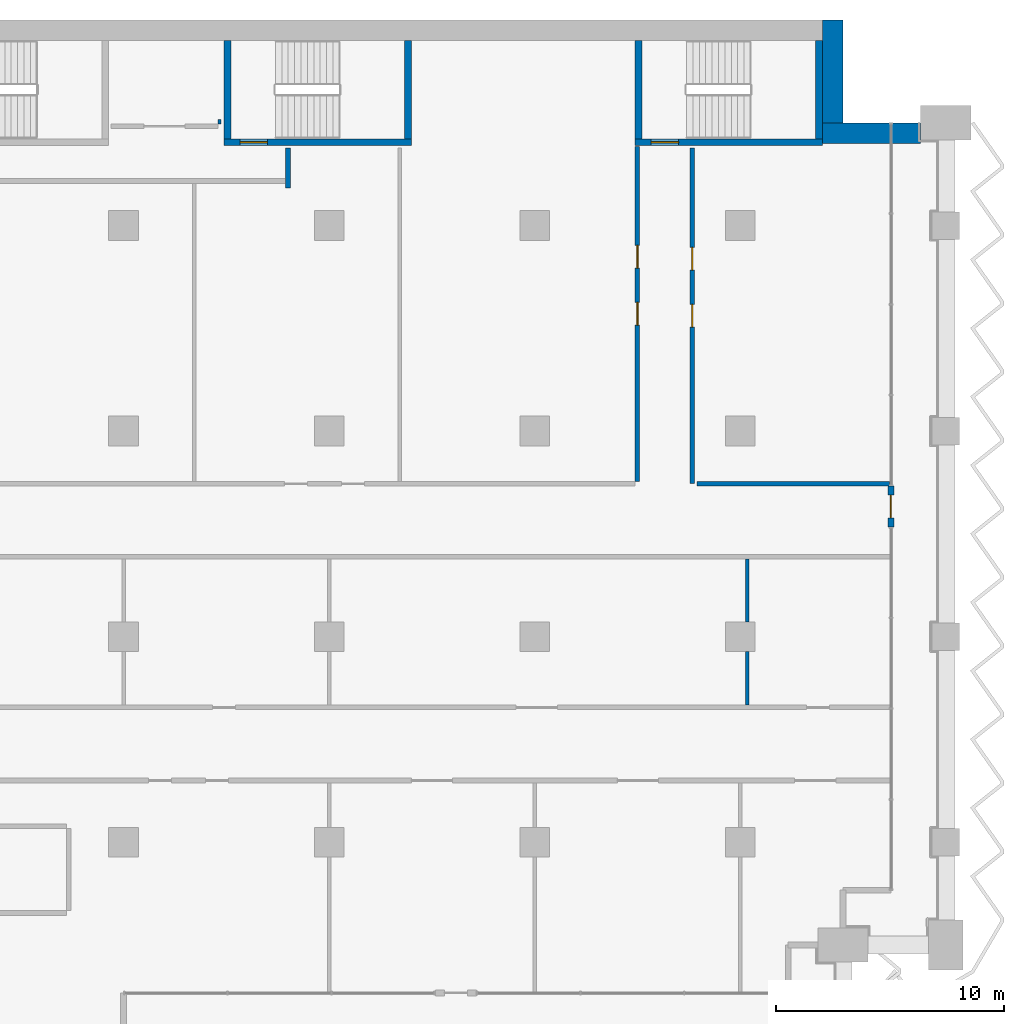
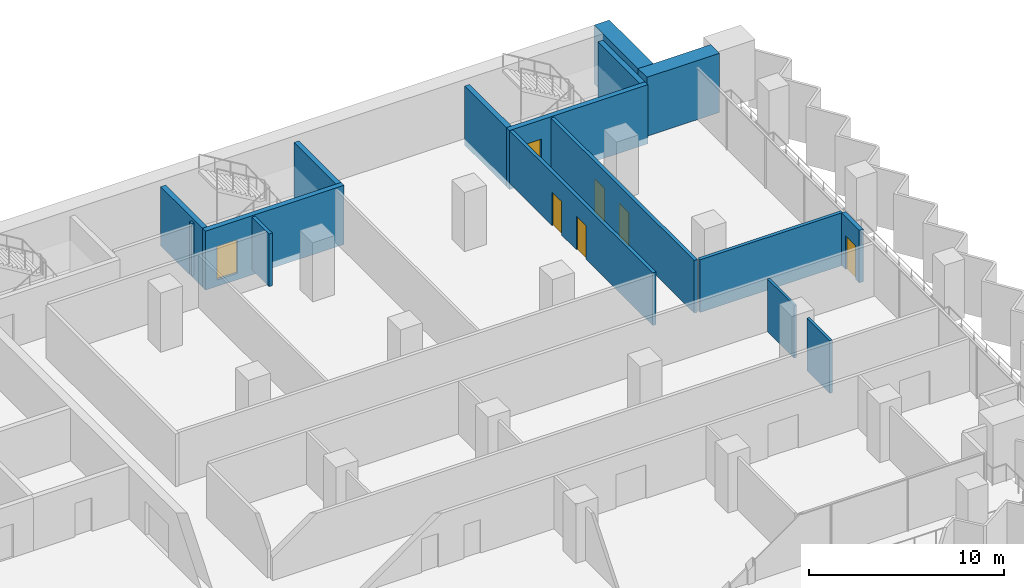
# One storey, part 15 of 23: 16 walls, 7 doors, 7 openings.
"""IFC4 building model written with IfcOpenShell, lengths in metres."""

from ifc_helpers import new_model, si_unit, direction, frame, frame_2d, origin, place, context, subcontext, project, spatial, rectangle, extrude, material, layer, layer_set, type_object, element, fill, save


model = new_model("IFC4")

# Units and contexts
model_context = context("Model", 3, precision=1e-05, world=origin(), true_north=direction((0.0, 1.0)))
body_context = subcontext(model_context, "Body", "Model", "MODEL_VIEW")
ifc_project = project(units=[si_unit("LENGTHUNIT", "METRE"), si_unit("AREAUNIT", "SQUARE_METRE"), si_unit("VOLUMEUNIT", "CUBIC_METRE"), si_unit("PLANEANGLEUNIT", "RADIAN"), si_unit("MASSUNIT", "GRAM", prefix="KILO")], contexts=[model_context])

# Site, building, storey
site_placement = place(None, origin())
site = spatial("IfcSite", under=ifc_project, at=site_placement, CompositionType="ELEMENT")
building_placement = place(site_placement, origin())
building = spatial("IfcBuilding", under=site, at=building_placement, Name="Hunhe Ridgeline Campus", CompositionType="ELEMENT")
storey_placement = place(building_placement, frame((0.0, 0.0, 99.60009765625)))
storey = spatial("IfcBuildingStorey", under=building, at=storey_placement, Name="L24", CompositionType="ELEMENT", Elevation=99.60009765625)

# Walls
ifc_material_1 = material(Name="Gypsum board partition")
ifc_layer_1 = layer(ifc_material_1, 0.199951171875)
ifc_layer_set_1 = layer_set([ifc_layer_1], Name="Corridor partition 200 gypsum board on steel studs")
wall_type_1 = type_object("IfcWallType", Name="Corridor partition 200 gypsum board on steel studs", PredefinedType="PARTITIONING", material=ifc_layer_set_1)
wall_1_placement = place(storey_placement, frame((70.09912109375, 78.699951171875, 0.0), z_axis=(0.0, 0.0, 1.0), x_axis=(1.0, 0.0, 0.0)))
element("IfcWall", 1, at=wall_1_placement, inside=storey, type_object=wall_type_1, Name="F-L24-wall-037", PredefinedType="PARTITIONING", context=body_context, shape_type="SweptSolid", body=[
    extrude(rectangle(XDim=8.44580078125, YDim=0.199951171875, at=frame_2d((4.222900390625, 0.0))), origin(), (0.0, 0.0, 1.0), 3.2998046875),
])
wall_2_placement = place(storey_placement, frame((52.199951171875, 93.39599609375, 0.0), z_axis=(0.0, 0.0, 1.0), x_axis=(0.0, -1.0, 0.0)))
element("IfcWall", 2, at=wall_2_placement, inside=storey, type_object=wall_type_1, Name="F-L24-wall-060", PredefinedType="PARTITIONING", context=body_context, shape_type="SweptSolid", body=[
    extrude(rectangle(XDim=1.74609375, YDim=0.199951171875, at=frame_2d((0.873046875, 0.0))), origin(), (0.0, 0.0, 1.0), 3.2998046875),
])

# Wall, openings, doors
wall_3_placement = place(storey_placement, frame((67.5, 78.800048828125, 0.0), z_axis=(0.0, 0.0, 1.0), x_axis=(0.0, 1.0, 0.0)))
wall_3 = element("IfcWall", 3, at=wall_3_placement, inside=storey, type_object=wall_type_1, Name="F-L24-wall-068", PredefinedType="PARTITIONING", context=body_context, shape_type="SweptSolid", body=[
    extrude(rectangle(XDim=14.669921875, YDim=0.199951171875, at=frame_2d((7.3349609375, 0.0))), origin(), (0.0, 0.0, 1.0), 3.2998046875),
])
opening_1_placement = place(wall_3_placement, frame((6.8349609375, 0.0, 0.0)))
opening_1 = element("IfcOpeningElement", 4, at=opening_1_placement, cuts=wall_3, Name="Opening RD1-033", PredefinedType="OPENING", context=body_context, shape_type="SweptSolid", body=[
    extrude(rectangle(XDim=1.0, YDim=2.10009765625, at=frame_2d((0.5, 1.050048828125))), frame((0.0, 0.10009765625, 0.0), z_axis=(0.0, -1.0, 0.0), x_axis=(1.0, 0.0, 0.0)), (0.0, 0.0, 1.0), 0.199951171875),
])
opening_2_placement = place(wall_3_placement, frame((9.3349609375, 0.0, 0.0)))
opening_2 = element("IfcOpeningElement", 5, at=opening_2_placement, cuts=wall_3, Name="Opening RD1-036", PredefinedType="OPENING", context=body_context, shape_type="SweptSolid", body=[
    extrude(rectangle(XDim=1.0, YDim=2.10009765625, at=frame_2d((0.5, 1.050048828125))), frame((0.0, 0.10009765625, 0.0), z_axis=(0.0, -1.0, 0.0), x_axis=(1.0, 0.0, 0.0)), (0.0, 0.0, 1.0), 0.199951171875),
])
ifc_material_2 = material(Name="Timber door leaf", Category="wood")
door_type_1 = type_object("IfcDoorType", Name="Single fire door 1000x2100 timber FD60", OperationType="NOTDEFINED", PredefinedType="DOOR", material=ifc_material_2)
door_1_placement = place(opening_1_placement, frame((1.0, 0.0, 0.0), z_axis=(0.0, 0.0, 1.0), x_axis=(-1.0, 0.0, 0.0)))
door_1 = element("IfcDoor", 6, at=door_1_placement, inside=storey, type_object=door_type_1, Name="F-L24-door-033", OperationType="SINGLE_SWING_RIGHT", OverallHeight=2.10009765625, OverallWidth=1.0, PredefinedType="DOOR", context=body_context, shape_type="SweptSolid", body=[
    extrude(rectangle(XDim=1.0, YDim=2.10009765625, at=frame_2d((0.5, 1.050048828125))), frame((0.0, 0.02490234375, 0.0), z_axis=(0.0, -1.0, 0.0), x_axis=(1.0, 0.0, 0.0)), (0.0, 0.0, 1.0), 0.050048828125),
])
fill(opening_1, door_1)
door_2_placement = place(opening_2_placement, frame((1.0, 0.0, 0.0), z_axis=(0.0, 0.0, 1.0), x_axis=(-1.0, 0.0, 0.0)))
door_2 = element("IfcDoor", 7, at=door_2_placement, inside=storey, type_object=door_type_1, Name="F-L24-door-036", OperationType="SINGLE_SWING_LEFT", OverallHeight=2.10009765625, OverallWidth=1.0, PredefinedType="DOOR", context=body_context, shape_type="SweptSolid", body=[
    extrude(rectangle(XDim=1.0, YDim=2.10009765625, at=frame_2d((0.5, 1.050048828125))), frame((0.0, 0.02490234375, 0.0), z_axis=(0.0, -1.0, 0.0), x_axis=(1.0, 0.0, 0.0)), (0.0, 0.0, 1.0), 0.050048828125),
])
fill(opening_2, door_2)

wall_4_placement = place(storey_placement, frame((69.89990234375, 93.39599609375, 0.0), z_axis=(0.0, 0.0, 1.0), x_axis=(0.0, -1.0, 0.0)))
wall_4 = element("IfcWall", 8, at=wall_4_placement, inside=storey, type_object=wall_type_1, Name="F-L24-wall-069", PredefinedType="PARTITIONING", context=body_context, shape_type="SweptSolid", body=[
    extrude(rectangle(XDim=14.696044921875, YDim=0.199951171875, at=frame_2d((7.34814453125, 0.0))), origin(), (0.0, 0.0, 1.0), 3.2998046875),
])
opening_3_placement = place(wall_4_placement, frame((6.847900390625, 0.0, 0.0)))
opening_3 = element("IfcOpeningElement", 9, at=opening_3_placement, cuts=wall_4, Name="Opening RD1-032", PredefinedType="OPENING", context=body_context, shape_type="SweptSolid", body=[
    extrude(rectangle(XDim=1.0, YDim=2.10009765625, at=frame_2d((0.5, 1.050048828125))), frame((0.0, 0.10009765625, 0.0), z_axis=(0.0, -1.0, 0.0), x_axis=(1.0, 0.0, 0.0)), (0.0, 0.0, 1.0), 0.199951171875),
])
opening_4_placement = place(wall_4_placement, frame((4.347900390625, 0.0, 0.0)))
opening_4 = element("IfcOpeningElement", 10, at=opening_4_placement, cuts=wall_4, Name="Opening RD1-035", PredefinedType="OPENING", context=body_context, shape_type="SweptSolid", body=[
    extrude(rectangle(XDim=1.0, YDim=2.10009765625, at=frame_2d((0.5, 1.050048828125))), frame((0.0, 0.10009765625, 0.0), z_axis=(0.0, -1.0, 0.0), x_axis=(1.0, 0.0, 0.0)), (0.0, 0.0, 1.0), 0.199951171875),
])
door_3_placement = place(opening_3_placement, frame((1.0, 0.0, 0.0), z_axis=(0.0, 0.0, 1.0), x_axis=(-1.0, 0.0, 0.0)))
door_3 = element("IfcDoor", 11, at=door_3_placement, inside=storey, type_object=door_type_1, Name="F-L24-door-032", OperationType="SINGLE_SWING_RIGHT", OverallHeight=2.10009765625, OverallWidth=1.0, PredefinedType="DOOR", context=body_context, shape_type="SweptSolid", body=[
    extrude(rectangle(XDim=1.0, YDim=2.10009765625, at=frame_2d((0.5, 1.050048828125))), frame((0.0, 0.02490234375, 0.0), z_axis=(0.0, -1.0, 0.0), x_axis=(1.0, 0.0, 0.0)), (0.0, 0.0, 1.0), 0.050048828125),
])
fill(opening_3, door_3)
door_4_placement = place(opening_4_placement, frame((1.0, 0.0, 0.0), z_axis=(0.0, 0.0, 1.0), x_axis=(-1.0, 0.0, 0.0)))
door_4 = element("IfcDoor", 12, at=door_4_placement, inside=storey, type_object=door_type_1, Name="F-L24-door-035", OperationType="SINGLE_SWING_RIGHT", OverallHeight=2.10009765625, OverallWidth=1.0, PredefinedType="DOOR", context=body_context, shape_type="SweptSolid", body=[
    extrude(rectangle(XDim=1.0, YDim=2.10009765625, at=frame_2d((0.5, 1.050048828125))), frame((0.0, 0.02490234375, 0.0), z_axis=(0.0, -1.0, 0.0), x_axis=(1.0, 0.0, 0.0)), (0.0, 0.0, 1.0), 0.050048828125),
])
fill(opening_4, door_4)

# Wall, opening, door
ifc_material_3 = material(Name="Concrete C30", Category="concrete")
ifc_layer_2 = layer(ifc_material_3, 0.25)
ifc_layer_set_2 = layer_set([ifc_layer_2], Name="Loggia door pier wall 250 Concrete C30")
wall_type_2 = type_object("IfcWallType", Name="Loggia door pier wall 250 Concrete C30", PredefinedType="SOLIDWALL", material=ifc_layer_set_2)
wall_5_placement = place(storey_placement, frame((78.59912109375, 76.800537109375, 0.0), z_axis=(0.0, 0.0, 1.0), x_axis=(0.0, 1.0, 0.0)))
wall_5 = element("IfcWall", 13, at=wall_5_placement, inside=storey, type_object=wall_type_2, Name="Loggia door pier 4", PredefinedType="SOLIDWALL", context=body_context, shape_type="SweptSolid", body=[
    extrude(rectangle(XDim=1.800048828125, YDim=0.25, at=frame_2d((0.89990234375, 0.0))), origin(), (0.0, 0.0, 1.0), 3.2998046875),
])
opening_5_placement = place(wall_5_placement, frame((0.39990234375, 0.0, 0.0)))
opening_5 = element("IfcOpeningElement", 14, at=opening_5_placement, cuts=wall_5, Name="Opening BD207", PredefinedType="OPENING", context=body_context, shape_type="SweptSolid", body=[
    extrude(rectangle(XDim=1.0, YDim=2.10009765625, at=frame_2d((0.5, 1.050048828125))), frame((0.0, 0.125, 0.0), z_axis=(0.0, -1.0, 0.0), x_axis=(1.0, 0.0, 0.0)), (0.0, 0.0, 1.0), 0.25),
])
ifc_material_4 = material(Name="Aluminium 6063", Category="aluminium")
door_type_2 = type_object("IfcDoorType", Name="Loggia glazed door 1000x2100", OperationType="NOTDEFINED", PredefinedType="DOOR", material=ifc_material_4)
door_5_placement = place(opening_5_placement, frame((1.0, 0.0, 0.0), z_axis=(0.0, 0.0, 1.0), x_axis=(-1.0, 0.0, 0.0)))
door_5 = element("IfcDoor", 15, at=door_5_placement, inside=storey, type_object=door_type_2, Name="Loggia door BD207", OperationType="SINGLE_SWING_RIGHT", OverallHeight=2.10009765625, OverallWidth=1.0, PredefinedType="DOOR", context=body_context, shape_type="SweptSolid", body=[
    extrude(rectangle(XDim=1.0, YDim=2.10009765625, at=frame_2d((0.5, 1.050048828125))), frame((0.0, 0.02490234375, 0.0), z_axis=(0.0, -1.0, 0.0), x_axis=(1.0, 0.0, 0.0)), (0.0, 0.0, 1.0), 0.050048828125),
])
fill(opening_5, door_5)

# Walls
ifc_layer_3 = layer(ifc_material_1, 0.14990234375)
ifc_layer_set_3 = layer_set([ifc_layer_3], Name="Room partition 150 gypsum board on steel studs")
wall_type_3 = type_object("IfcWallType", Name="Room partition 150 gypsum board on steel studs", PredefinedType="PARTITIONING", material=ifc_layer_set_3)
wall_6_placement = place(storey_placement, frame((49.199951171875, 94.64990234375, 0.0), z_axis=(0.0, 0.0, 1.0), x_axis=(0.0, -1.0, 0.0)))
element("IfcWall", 16, at=wall_6_placement, inside=storey, type_object=wall_type_3, Name="F-L24-wall-059", PredefinedType="PARTITIONING", context=body_context, shape_type="SweptSolid", body=[
    extrude(rectangle(XDim=0.199951171875, YDim=0.14990234375, at=frame_2d((0.10009765625, 0.0))), origin(), (0.0, 0.0, 1.0), 3.2998046875),
])
wall_7_placement = place(storey_placement, frame((72.300048828125, 71.35009765625, 0.0), z_axis=(0.0, 0.0, 1.0), x_axis=(0.0, -1.0, 0.0)))
element("IfcWall", 17, at=wall_7_placement, inside=storey, type_object=wall_type_3, Name="F-L24-wall-072", PredefinedType="PARTITIONING", context=body_context, shape_type="SweptSolid", body=[
    extrude(rectangle(XDim=2.35009765625, YDim=0.14990234375, at=frame_2d((1.175048828125, 0.0))), origin(), (0.0, 0.0, 1.0), 3.2998046875),
])
wall_8_placement = place(storey_placement, frame((72.300048828125, 75.39990234375, 0.0), z_axis=(0.0, 0.0, 1.0), x_axis=(0.0, -1.0, 0.0)))
element("IfcWall", 18, at=wall_8_placement, inside=storey, type_object=wall_type_3, Name="F-L24-wall-073", PredefinedType="PARTITIONING", context=body_context, shape_type="SweptSolid", body=[
    extrude(rectangle(XDim=2.75, YDim=0.14990234375, at=frame_2d((1.375, 0.0))), origin(), (0.0, 0.0, 1.0), 3.2998046875),
])
ifc_material_5 = material(Name="Concrete C70", Category="concrete")
ifc_layer_4 = layer(ifc_material_5, 0.89990234375)
ifc_layer_set_4 = layer_set([ifc_layer_4], Name="Spine wall 900 Concrete C70")
wall_type_4 = type_object("IfcWallType", Name="Spine wall 900 Concrete C70", PredefinedType="SHEAR", material=ifc_layer_set_4)
wall_9_placement = place(storey_placement, frame((79.89990234375, 94.050048828125, 0.0), z_axis=(0.0, 0.0, 1.0), x_axis=(-1.0, 0.0, 0.0)))
element("IfcWall", 19, at=wall_9_placement, inside=storey, type_object=wall_type_4, Name="Spine wall SW2-2 L24", PredefinedType="SHEAR", context=body_context, shape_type="SweptSolid", body=[
    extrude(rectangle(XDim=4.30029296875, YDim=0.89990234375, at=frame_2d((2.150146484375, 0.0))), origin(), (0.0, 0.0, 1.0), 3.699951171875),
])
wall_10_placement = place(storey_placement, frame((76.050048828125, 93.60009765625, 0.0), z_axis=(0.0, 0.0, 1.0), x_axis=(0.0, 1.0, 0.0)))
element("IfcWall", 20, at=wall_10_placement, inside=storey, type_object=wall_type_4, Name="Spine wall SW2-3 L24", PredefinedType="SHEAR", context=body_context, shape_type="SweptSolid", body=[
    extrude(rectangle(XDim=5.39990234375, YDim=0.89990234375, at=frame_2d((2.699951171875, 0.0))), origin(), (0.0, 0.0, 1.0), 3.699951171875),
])

# Wall, opening, door
ifc_material_6 = material(Name="Concrete C80", Category="concrete")
ifc_layer_5 = layer(ifc_material_6, 0.300048828125)
ifc_layer_set_5 = layer_set([ifc_layer_5], Name="Stair wall 300 reinforced concrete C80")
wall_type_5 = type_object("IfcWallType", Name="Stair wall 300 reinforced concrete C80", PredefinedType="SOLIDWALL", material=ifc_layer_set_5)
wall_11_placement = place(storey_placement, frame((49.39990234375, 93.64990234375, -0.400146484375), z_axis=(0.0, 0.0, 1.0), x_axis=(1.0, 0.0, 0.0)))
wall_11 = element("IfcWall", 21, at=wall_11_placement, inside=storey, type_object=wall_type_5, Name="L24 core wall 29", PredefinedType="SOLIDWALL", context=body_context, shape_type="SweptSolid", body=[
    extrude(rectangle(XDim=8.2001953125, YDim=0.300048828125, at=frame_2d((4.10009765625, 0.0))), origin(), (0.0, 0.0, 1.0), 3.699951171875),
])
opening_6_placement = place(wall_11_placement, frame((0.699951171875, 0.0, 0.39990234375)))
opening_6 = element("IfcOpeningElement", 22, at=opening_6_placement, cuts=wall_11, Name="Opening CD18", PredefinedType="OPENING", context=body_context, shape_type="SweptSolid", body=[
    extrude(rectangle(XDim=1.199951171875, YDim=2.10009765625, at=frame_2d((0.60009765625, 1.050048828125))), frame((0.0, 0.14990234375, 0.0), z_axis=(0.0, -1.0, 0.0), x_axis=(1.0, 0.0, 0.0)), (0.0, 0.0, 1.0), 0.300048828125),
])
ifc_material_7 = material(Name="Hollow metal fire door leaf")
door_type_3 = type_object("IfcDoorType", Name="Stair door 1200x2100 FD60", OperationType="SINGLE_SWING_LEFT", PredefinedType="DOOR", material=ifc_material_7)
door_6_placement = place(opening_6_placement, frame((1.199951171875, 0.0, 0.0), z_axis=(0.0, 0.0, 1.0), x_axis=(-1.0, 0.0, 0.0)))
door_6 = element("IfcDoor", 23, at=door_6_placement, inside=storey, type_object=door_type_3, Name="L24 door E2", OperationType="SINGLE_SWING_LEFT", OverallHeight=2.10009765625, OverallWidth=1.199951171875, PredefinedType="DOOR", context=body_context, shape_type="SweptSolid", body=[
    extrude(rectangle(XDim=1.199951171875, YDim=2.10009765625, at=frame_2d((0.60009765625, 1.050048828125))), frame((0.0, 0.02490234375, 0.0), z_axis=(0.0, -1.0, 0.0), x_axis=(1.0, 0.0, 0.0)), (0.0, 0.0, 1.0), 0.050048828125),
])
fill(opening_6, door_6)

wall_12_placement = place(storey_placement, frame((67.39990234375, 93.64990234375, -0.400146484375), z_axis=(0.0, 0.0, 1.0), x_axis=(1.0, 0.0, 0.0)))
wall_12 = element("IfcWall", 24, at=wall_12_placement, inside=storey, type_object=wall_type_5, Name="L24 core wall 30", PredefinedType="SOLIDWALL", context=body_context, shape_type="SweptSolid", body=[
    extrude(rectangle(XDim=8.2001953125, YDim=0.300048828125, at=frame_2d((4.10009765625, 0.0))), origin(), (0.0, 0.0, 1.0), 3.699951171875),
])
opening_7_placement = place(wall_12_placement, frame((0.699951171875, 0.0, 0.39990234375)))
opening_7 = element("IfcOpeningElement", 25, at=opening_7_placement, cuts=wall_12, Name="Opening CD19", PredefinedType="OPENING", context=body_context, shape_type="SweptSolid", body=[
    extrude(rectangle(XDim=1.199951171875, YDim=2.10009765625, at=frame_2d((0.60009765625, 1.050048828125))), frame((0.0, 0.14990234375, 0.0), z_axis=(0.0, -1.0, 0.0), x_axis=(1.0, 0.0, 0.0)), (0.0, 0.0, 1.0), 0.300048828125),
])
door_7_placement = place(opening_7_placement, frame((1.199951171875, 0.0, 0.0), z_axis=(0.0, 0.0, 1.0), x_axis=(-1.0, 0.0, 0.0)))
door_7 = element("IfcDoor", 26, at=door_7_placement, inside=storey, type_object=door_type_3, Name="L24 door E3", OperationType="SINGLE_SWING_RIGHT", OverallHeight=2.10009765625, OverallWidth=1.199951171875, PredefinedType="DOOR", context=body_context, shape_type="SweptSolid", body=[
    extrude(rectangle(XDim=1.199951171875, YDim=2.10009765625, at=frame_2d((0.60009765625, 1.050048828125))), frame((0.0, 0.02490234375, 0.0), z_axis=(0.0, -1.0, 0.0), x_axis=(1.0, 0.0, 0.0)), (0.0, 0.0, 1.0), 0.050048828125),
])
fill(opening_7, door_7)

# Walls
for number, where, z_axis, x_axis, name in (
    (27, (49.550048828125, 93.800048828125, -0.400146484375), (0.0, 0.0, 1.0), (0.0, 1.0, 0.0), "L24 core wall 64"),
    (28, (57.449951171875, 93.800048828125, -0.400146484375), (0.0, 0.0, 1.0), (0.0, 1.0, 0.0), "L24 core wall 65"),
    (29, (67.550048828125, 93.800048828125, -0.400146484375), (0.0, 0.0, 1.0), (0.0, 1.0, 0.0), "L24 core wall 66"),
    (30, (75.449951171875, 93.800048828125, -0.400146484375), (0.0, 0.0, 1.0), (0.0, 1.0, 0.0), "L24 core wall 67"),
):
    element("IfcWall", number, at=place(storey_placement, frame(where, z_axis=z_axis, x_axis=x_axis)), inside=storey, type_object=wall_type_5, Name=name, PredefinedType="SOLIDWALL", context=body_context, shape_type="SweptSolid", body=[
        extrude(rectangle(XDim=4.300048828125, YDim=0.300048828125, at=frame_2d((2.14990234375, 0.0))), origin(), (0.0, 0.0, 1.0), 3.699951171875),
    ])

save(model, "model.ifc")
